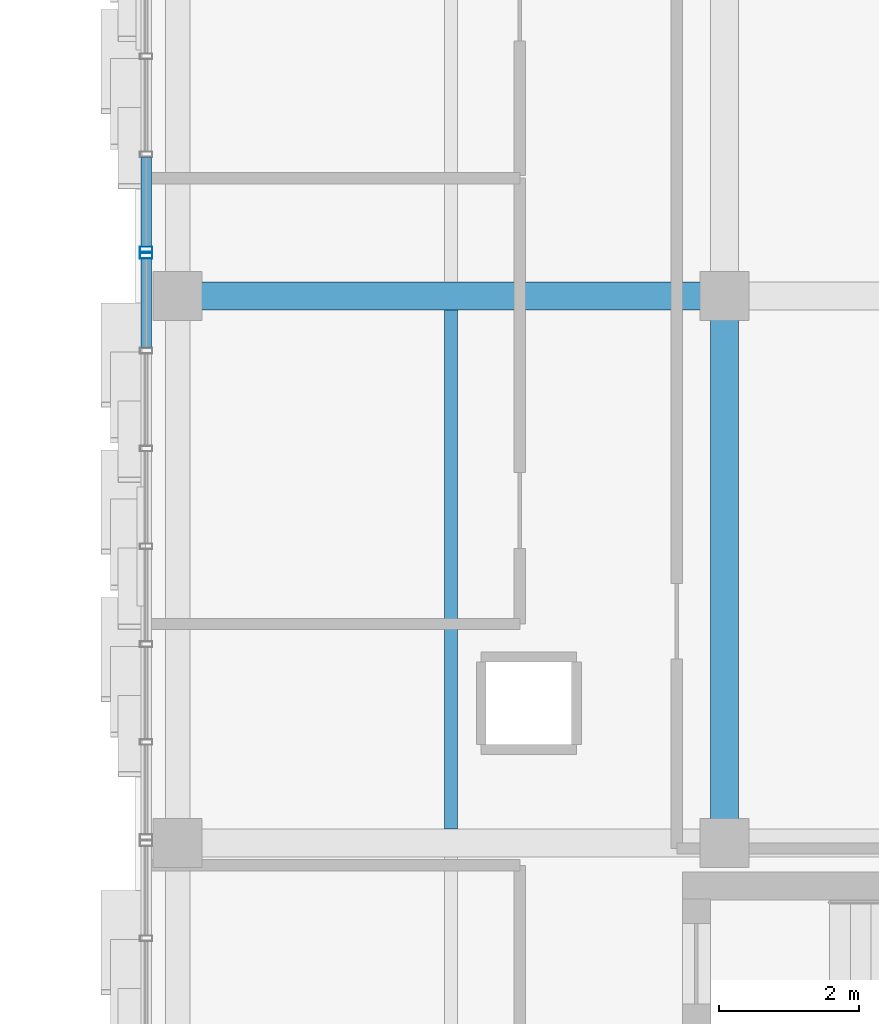
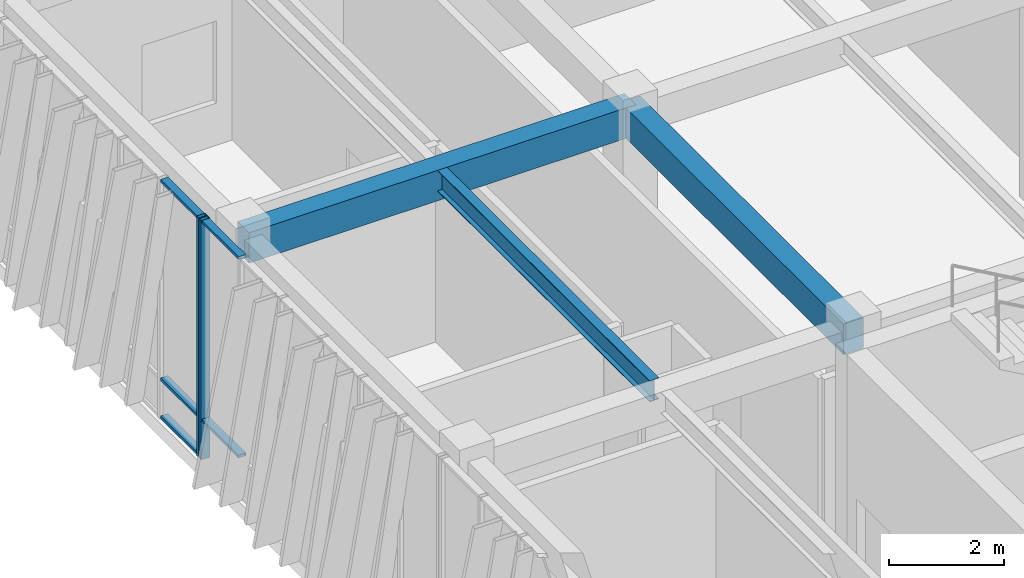
# One storey, part 68 of 139: 7 members, 3 beams, 2 elements without a shape of their own.
"""IFC4 building model written with IfcOpenShell, lengths in metres."""

from ifc_helpers import new_model, si_unit, direction, frame, origin, origin_2d, place, context, subcontext, project, spatial, rectangle, hollow_rectangle, i_section, extrude, material, layer, layer_set, material_profile, profile_set, type_object, element, aggregate, save


model = new_model("IFC4")

# Units and contexts
model_context = context("Model", 3, precision=1e-05, world=origin(), true_north=direction((0.0, 1.0)))
body_context = subcontext(model_context, "Body", "Model", "MODEL_VIEW")
ifc_project = project(units=[si_unit("LENGTHUNIT", "METRE"), si_unit("AREAUNIT", "SQUARE_METRE"), si_unit("VOLUMEUNIT", "CUBIC_METRE"), si_unit("PLANEANGLEUNIT", "RADIAN"), si_unit("MASSUNIT", "GRAM", prefix="KILO")], contexts=[model_context])

# Site, building, storey
site_placement = place(None, origin())
site = spatial("IfcSite", under=ifc_project, at=site_placement, CompositionType="ELEMENT")
building_placement = place(site_placement, origin())
building = spatial("IfcBuilding", under=site, at=building_placement, Name="Zayran Congress Hotel", CompositionType="ELEMENT")
storey_placement = place(building_placement, frame((0.0, 0.0, 5.39990234375)))
storey = spatial("IfcBuildingStorey", under=building, at=storey_placement, Name="L01", CompositionType="ELEMENT", Elevation=5.39990234375)

# Beams
ifc_material_1 = material(Name="Concrete C40/50", Category="concrete")
ifc_material_profile_1 = material_profile(ifc_material_1, rectangle(XDim=0.39990234375, YDim=0.64990234375, at=origin_2d()), Name="RC 400x650")
ifc_profile_set_1 = profile_set([ifc_material_profile_1], Name="Concrete C40/50")
beam_type_1 = type_object("IfcBeamType", Name="TP-BM-03", PredefinedType="BEAM", material=ifc_profile_set_1)
for number, where, z_axis, x_axis, name in (
    (1, (109.800048828125, 100.60009765625, 4.775146484375), (1.0, 0.0, 0.0), (0.0, 1.0, 0.0), "BM-V4-L01-1336"),
    (2, (117.60009765625, 92.800048828125, 4.775146484375), (0.0, 1.0, 0.0), (-1.0, 0.0, 0.0), "BM-V4-L01-1356"),
):
    element("IfcBeam", number, at=place(storey_placement, frame(where, z_axis=z_axis, x_axis=x_axis)), inside=storey, type_object=beam_type_1, Name=name, PredefinedType="BEAM", context=body_context, shape_type="SweptSolid", body=[
        extrude(rectangle(XDim=0.39990234375, YDim=0.64990234375, at=origin_2d()), origin(), (0.0, 0.0, 1.0), 7.800048828125),
    ])
ifc_material_2 = material(Name="Steel S355", Category="steel")
ifc_material_profile_2 = material_profile(ifc_material_2, i_section(OverallWidth=0.18994140625, OverallDepth=0.449951171875, WebThickness=0.009521484375, FlangeThickness=0.0146484375, at=origin_2d()), Name="IPE 450")
ifc_profile_set_2 = profile_set([ifc_material_profile_2], Name="Steel S355")
beam_type_2 = type_object("IfcBeamType", Name="TP-JS-02", PredefinedType="JOIST", material=ifc_profile_set_2)
beam_placement = place(storey_placement, frame((113.699951171875, 93.0, 4.875), z_axis=(0.0, 1.0, 0.0), x_axis=(-1.0, 0.0, 0.0)))
element("IfcBeam", 3, at=beam_placement, inside=storey, type_object=beam_type_2, Name="JST-V4-L01-1388", PredefinedType="JOIST", context=body_context, shape_type="SweptSolid", body=[
    extrude(i_section(OverallWidth=0.18994140625, OverallDepth=0.449951171875, WebThickness=0.009521484375, FlangeThickness=0.0146484375, at=origin_2d()), origin(), (0.0, 0.0, 1.0), 7.39990234375),
])

# Curtain wall, member
ifc_material_3 = material(Name="Anodised aluminium and low-E insulated glass", Category="aluminium")
ifc_layer_1 = layer(ifc_material_3, 0.179931640625)
ifc_layer_set_1 = layer_set([ifc_layer_1], Name="Anodised aluminium and low-E insulated glass")
curtain_wall_type_1 = type_object("IfcCurtainWallType", Name="CW-V4W-L01-CW-51-8372-5100", PredefinedType="USERDEFINED", material=ifc_layer_set_1)
curtain_wall_1_placement = place(storey_placement, origin())
curtain_wall_1 = element("IfcCurtainWall", 4, at=curtain_wall_1_placement, inside=storey, type_object=curtain_wall_type_1, Name="CW-V4W-L01-6", ObjectType="CURTAIN WALL", PredefinedType="USERDEFINED")
ifc_material_4 = material(Name="Anodised aluminium framing", Category="aluminium")
ifc_material_profile_3 = material_profile(ifc_material_4, hollow_rectangle(XDim=0.080078125, YDim=0.179931640625, WallThickness=0.0048828125, at=origin_2d()), Name="RHS 180x80x5")
ifc_profile_set_3 = profile_set([ifc_material_profile_3], Name="Anodised aluminium framing")
member_type_1 = type_object("IfcMemberType", Name="TP-CWM-01", PredefinedType="MULLION", material=ifc_profile_set_3)
member_1_placement = place(storey_placement, frame((109.35009765625, 101.174072265625, 0.0), z_axis=(0.0, 0.0, 1.0), x_axis=(0.0, 1.0, 0.0)))
member_1 = element("IfcMember", 5, at=member_1_placement, type_object=member_type_1, Name="CW-V4W-L01-6-M00", PredefinedType="MULLION", context=body_context, shape_type="SweptSolid", body=[
    extrude(hollow_rectangle(XDim=0.080078125, YDim=0.179931640625, WallThickness=0.0048828125, at=origin_2d()), origin(), (0.0, 0.0, 1.0), 5.10009765625),
])

ifc_layer_2 = layer(ifc_material_3, 0.179931640625)
ifc_layer_set_2 = layer_set([ifc_layer_2], Name="Anodised aluminium and low-E insulated glass")
curtain_wall_type_2 = type_object("IfcCurtainWallType", Name="CW-V4W-L01-CW-52-8376-5100", PredefinedType="USERDEFINED", material=ifc_layer_set_2)
curtain_wall_2_placement = place(storey_placement, origin())
curtain_wall_2 = element("IfcCurtainWall", 6, at=curtain_wall_2_placement, inside=storey, type_object=curtain_wall_type_2, Name="CW-V4W-L01-7", ObjectType="CURTAIN WALL", PredefinedType="USERDEFINED")
member_2_placement = place(storey_placement, frame((109.35009765625, 101.263916015625, 0.0), z_axis=(0.0, 0.0, 1.0), x_axis=(0.0, 1.0, 0.0)))
member_2 = element("IfcMember", 7, at=member_2_placement, type_object=member_type_1, Name="CW-V4W-L01-7-M06", PredefinedType="MULLION", context=body_context, shape_type="SweptSolid", body=[
    extrude(hollow_rectangle(XDim=0.080078125, YDim=0.179931640625, WallThickness=0.0048828125, at=origin_2d()), origin(), (0.0, 0.0, 1.0), 5.10009765625),
])

# Member
ifc_material_profile_4 = material_profile(ifc_material_4, hollow_rectangle(XDim=0.06005859375, YDim=0.14990234375, WallThickness=0.00390625, at=origin_2d()), Name="RHS 150x60x4")
ifc_profile_set_4 = profile_set([ifc_material_profile_4], Name="Anodised aluminium framing")
member_type_2 = type_object("IfcMemberType", Name="TP-CWT-01", PredefinedType="USERDEFINED", material=ifc_profile_set_4)
member_3_placement = place(storey_placement, frame((109.35009765625, 101.134033203125, 0.840087890625), z_axis=(0.0, -1.0, 0.0), x_axis=(0.0, 0.0, 1.0)))
member_3 = element("IfcMember", 8, at=member_3_placement, type_object=member_type_2, Name="CW-V4W-L01-6-T00-1", ObjectType="TRANSOM", PredefinedType="USERDEFINED", context=body_context, shape_type="SweptSolid", body=[
    extrude(hollow_rectangle(XDim=0.06005859375, YDim=0.14990234375, WallThickness=0.00390625, at=origin_2d()), origin(), (0.0, 0.0, 1.0), 1.275390625),
])

member_4_placement = place(storey_placement, frame((109.35009765625, 101.134033203125, 5.070068359375), z_axis=(0.0, -1.0, 0.0), x_axis=(0.0, 0.0, 1.0)))
member_4 = element("IfcMember", 9, at=member_4_placement, type_object=member_type_2, Name="CW-V4W-L01-6-T00-2", ObjectType="TRANSOM", PredefinedType="USERDEFINED", context=body_context, shape_type="SweptSolid", body=[
    extrude(hollow_rectangle(XDim=0.06005859375, YDim=0.14990234375, WallThickness=0.00390625, at=origin_2d()), origin(), (0.0, 0.0, 1.0), 1.275390625),
])

aggregate(curtain_wall_1, [member_1, member_3, member_4])

member_5_placement = place(storey_placement, frame((109.35009765625, 102.580078125, 0.030029296875), z_axis=(0.0, -1.0, 0.0), x_axis=(0.0, 0.0, 1.0)))
member_5 = element("IfcMember", 10, at=member_5_placement, type_object=member_type_2, Name="CW-V4W-L01-7-T05-0", ObjectType="TRANSOM", PredefinedType="USERDEFINED", context=body_context, shape_type="SweptSolid", body=[
    extrude(hollow_rectangle(XDim=0.06005859375, YDim=0.14990234375, WallThickness=0.00390625, at=origin_2d()), origin(), (0.0, 0.0, 1.0), 1.276123046875),
])

member_6_placement = place(storey_placement, frame((109.35009765625, 102.580078125, 0.840087890625), z_axis=(0.0, -1.0, 0.0), x_axis=(0.0, 0.0, 1.0)))
member_6 = element("IfcMember", 11, at=member_6_placement, type_object=member_type_2, Name="CW-V4W-L01-7-T05-1", ObjectType="TRANSOM", PredefinedType="USERDEFINED", context=body_context, shape_type="SweptSolid", body=[
    extrude(hollow_rectangle(XDim=0.06005859375, YDim=0.14990234375, WallThickness=0.00390625, at=origin_2d()), origin(), (0.0, 0.0, 1.0), 1.276123046875),
])

member_7_placement = place(storey_placement, frame((109.35009765625, 102.580078125, 5.070068359375), z_axis=(0.0, -1.0, 0.0), x_axis=(0.0, 0.0, 1.0)))
member_7 = element("IfcMember", 12, at=member_7_placement, type_object=member_type_2, Name="CW-V4W-L01-7-T05-2", ObjectType="TRANSOM", PredefinedType="USERDEFINED", context=body_context, shape_type="SweptSolid", body=[
    extrude(hollow_rectangle(XDim=0.06005859375, YDim=0.14990234375, WallThickness=0.00390625, at=origin_2d()), origin(), (0.0, 0.0, 1.0), 1.276123046875),
])

aggregate(curtain_wall_2, [member_2, member_5, member_6, member_7])

save(model, "model.ifc")
